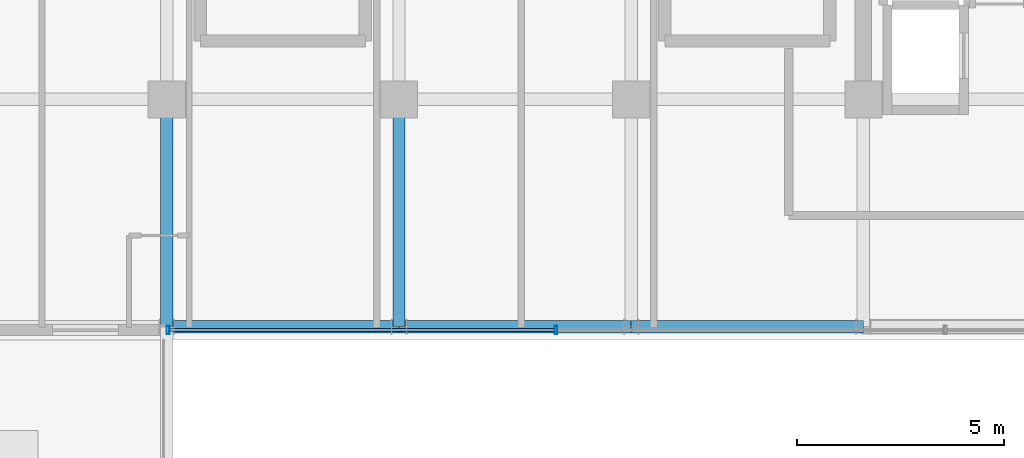
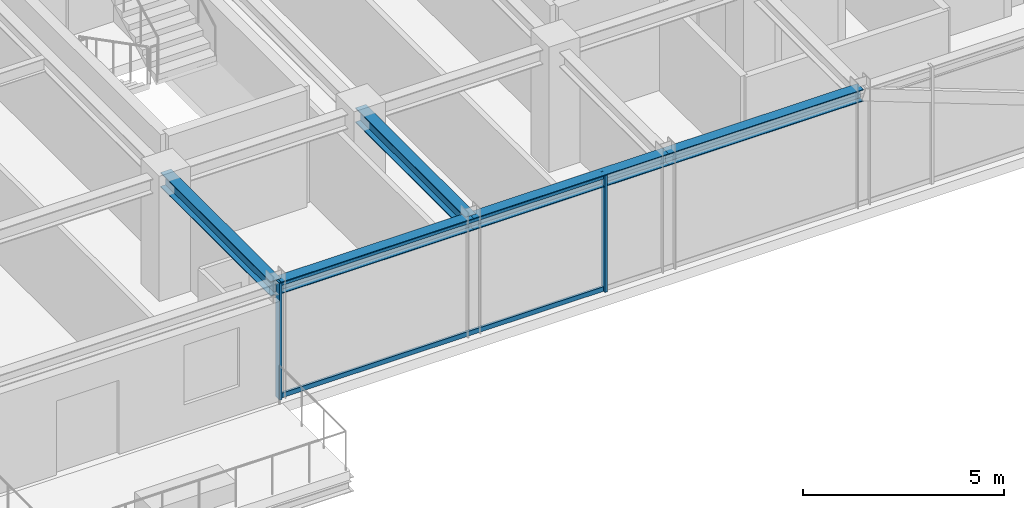
# One storey, part 7 of 37: 5 beams, 4 members, 1 element without a shape of its own.
"""IFC4 building model written with IfcOpenShell, lengths in metres."""

from ifc_helpers import new_model, si_unit, direction, frame, origin, origin_2d, place, context, subcontext, project, spatial, hollow_rectangle, i_section, extrude, source, transform, mapped, material, material_profile, profile_set, type_object, element, aggregate, save


model = new_model("IFC4")

# Units and contexts
model_context = context("Model", 3, precision=1e-05, world=origin(), true_north=direction((0.0, 1.0)))
body_context = subcontext(model_context, "Body", "Model", "MODEL_VIEW")
ifc_project = project(units=[si_unit("LENGTHUNIT", "METRE"), si_unit("AREAUNIT", "SQUARE_METRE"), si_unit("VOLUMEUNIT", "CUBIC_METRE"), si_unit("PLANEANGLEUNIT", "RADIAN"), si_unit("MASSUNIT", "GRAM", prefix="KILO")], contexts=[model_context])

# Site, building, storey
site_placement = place(None, origin())
site = spatial("IfcSite", under=ifc_project, at=site_placement, CompositionType="ELEMENT")
building_placement = place(site_placement, origin())
building = spatial("IfcBuilding", under=site, at=building_placement, Name="Nahalor Promenade Grand Hotel", CompositionType="ELEMENT")
storey_placement = place(building_placement, frame((0.0, 0.0, 292.64990234375)))
storey = spatial("IfcBuildingStorey", under=building, at=storey_placement, Name="L75", CompositionType="ELEMENT", Elevation=292.64990234375)

# Beams
ifc_material_1 = material(Name="Steel S355JR", Category="steel")
ifc_material_profile_1 = material_profile(ifc_material_1, i_section(OverallWidth=0.3, OverallDepth=0.45, WebThickness=0.014, FlangeThickness=0.026, at=origin_2d()), Name="HEB 450")
ifc_profile_set_1 = profile_set([ifc_material_profile_1], Name="Steel S355JR")
beam_type_1 = type_object("IfcBeamType", Name="Beam-Girder-HEB450", PredefinedType="BEAM", material=ifc_profile_set_1)
shared_shape_1 = source(origin(), body_context, "Body", "SweptSolid", [
    extrude(i_section(OverallWidth=0.3, OverallDepth=0.45, WebThickness=0.014, FlangeThickness=0.026, at=origin_2d()), origin(), (0.0, 0.0, 1.0), 5.47998046875),
])
for number, where, z_axis, x_axis, name in (
    (1, (-8.39990234375, -22.47998046875, 3.3251953125), (0.0, 1.0, 0.0), (-1.0, 0.0, 0.0), "BM-L75-GY-1-0"),
    (2, (-2.800048828125, -22.47998046875, 3.3251953125), (0.0, 1.0, 0.0), (-1.0, 0.0, 0.0), "BM-L75-GY-2-0"),
):
    element("IfcBeam", number, at=place(storey_placement, frame(where, z_axis=z_axis, x_axis=x_axis)), inside=storey, type_object=beam_type_1, Name=name, PredefinedType="BEAM", context=body_context, shape_type="MappedRepresentation", body=[
        mapped(shared_shape_1, transform((0.0, 0.0, 0.0), scale=1.0)),
    ])
ifc_material_profile_2 = material_profile(ifc_material_1, i_section(OverallWidth=0.3, OverallDepth=0.36, WebThickness=0.0125, FlangeThickness=0.0225, at=origin_2d()), Name="HEB 360")
ifc_profile_set_2 = profile_set([ifc_material_profile_2], Name="Steel S355JR")
beam_type_2 = type_object("IfcBeamType", Name="Beam-Spandrel-HEB360", PredefinedType="SPANDREL", material=ifc_profile_set_2)
shared_shape_2 = source(origin(), body_context, "Body", "SweptSolid", [
    extrude(i_section(OverallWidth=0.3, OverallDepth=0.36, WebThickness=0.0125, FlangeThickness=0.0225, at=origin_2d()), origin(), (0.0, 0.0, 1.0), 5.599853515625),
])
for number, where, z_axis, x_axis, name in (
    (3, (-8.39990234375, -22.47998046875, 3.3701171875), (1.0, 0.0, 0.0), (0.0, 1.0, 0.0), "BM-L75-SP-S-1"),
    (4, (2.800048828125, -22.47998046875, 3.3701171875), (1.0, 0.0, 0.0), (0.0, 1.0, 0.0), "BM-L75-SP-S-3"),
):
    element("IfcBeam", number, at=place(storey_placement, frame(where, z_axis=z_axis, x_axis=x_axis)), inside=storey, type_object=beam_type_2, Name=name, PredefinedType="SPANDREL", context=body_context, shape_type="MappedRepresentation", body=[
        mapped(shared_shape_2, transform((0.0, 0.0, 0.0), scale=1.0)),
    ])
shared_shape_3 = source(origin(), body_context, "Body", "SweptSolid", [
    extrude(i_section(OverallWidth=0.3, OverallDepth=0.36, WebThickness=0.0125, FlangeThickness=0.0225, at=origin_2d()), origin(), (0.0, 0.0, 1.0), 5.60009765625),
])
beam_placement = place(storey_placement, frame((-2.800048828125, -22.47998046875, 3.3701171875), z_axis=(1.0, 0.0, 0.0), x_axis=(0.0, 1.0, 0.0)))
element("IfcBeam", 5, at=beam_placement, inside=storey, type_object=beam_type_2, Name="BM-L75-SP-S-2", PredefinedType="SPANDREL", context=body_context, shape_type="MappedRepresentation", body=[
    mapped(shared_shape_3, transform((0.0, 0.0, 0.0), scale=1.0)),
])

# Curtain wall, members
ifc_material_2 = material(Name="Anodised Bronze Aluminium EN AW-6063 T6", Category="aluminium")
curtain_wall_type = type_object("IfcCurtainWallType", Name="CW3 Elliptical-Void Collar Unitised Curtain Wall", PredefinedType="USERDEFINED", material=ifc_material_2)
curtain_wall_placement = place(storey_placement, origin())
curtain_wall = element("IfcCurtainWall", 6, at=curtain_wall_placement, inside=storey, type_object=curtain_wall_type, Name="L75 Curtain Wall CW-L75-S-3", ObjectType="UNITISED_CURTAIN_WALL", PredefinedType="USERDEFINED")
ifc_material_profile_3 = material_profile(ifc_material_2, hollow_rectangle(XDim=0.07, YDim=0.14, WallThickness=0.004, at=origin_2d()), Name="CWT 70x140x4")
ifc_profile_set_3 = profile_set([ifc_material_profile_3], Name="Anodised Bronze Aluminium EN AW-6063 T6")
member_type_1 = type_object("IfcMemberType", Name="CWT3 Void Collar Transom 70x140", PredefinedType="USERDEFINED", material=ifc_profile_set_3)
shared_shape_4 = source(origin(), body_context, "Body", "SweptSolid", [
    extrude(hollow_rectangle(XDim=0.07, YDim=0.14, WallThickness=0.004, at=origin_2d()), origin(), (0.0, 0.0, 1.0), 9.28173828125),
])
member_1_placement = place(storey_placement, frame((-8.330078125, -22.56005859375, 0.070068359375), z_axis=(1.0, 0.0, 0.0), x_axis=(0.0, 1.0, 0.0)))
member_1 = element("IfcMember", 7, at=member_1_placement, type_object=member_type_1, Name="CW-L75-S-3 Transom 0-0", ObjectType="TRANSOM", PredefinedType="USERDEFINED", context=body_context, shape_type="MappedRepresentation", body=[
    mapped(shared_shape_4, transform((0.0, 0.0, 0.0), scale=1.0)),
])
member_2_placement = place(storey_placement, frame((-8.330078125, -22.56005859375, 3.47998046875), z_axis=(1.0, 0.0, 0.0), x_axis=(0.0, 1.0, 0.0)))
member_2 = element("IfcMember", 8, at=member_2_placement, type_object=member_type_1, Name="CW-L75-S-3 Transom 0-1", ObjectType="TRANSOM", PredefinedType="USERDEFINED", context=body_context, shape_type="MappedRepresentation", body=[
    mapped(shared_shape_4, transform((0.0, 0.0, 0.0), scale=1.0)),
])
ifc_material_profile_4 = material_profile(ifc_material_2, hollow_rectangle(XDim=0.07, YDim=0.2, WallThickness=0.005, at=origin_2d()), Name="CWM 70x200x5")
ifc_profile_set_4 = profile_set([ifc_material_profile_4], Name="Anodised Bronze Aluminium EN AW-6063 T6")
member_type_2 = type_object("IfcMemberType", Name="CWM3 Void Collar Mullion 70x200", PredefinedType="MULLION", material=ifc_profile_set_4)
shared_shape_5 = source(origin(), body_context, "Body", "SweptSolid", [
    extrude(hollow_rectangle(XDim=0.07, YDim=0.2, WallThickness=0.005, at=origin_2d()), origin(), (0.0, 0.0, 1.0), 3.550048828125),
])
member_3_placement = place(storey_placement, frame((-8.364990234375, -22.56005859375, 0.0), z_axis=(0.0, 0.0, 1.0), x_axis=(1.0, 0.0, 0.0)))
member_3 = element("IfcMember", 9, at=member_3_placement, type_object=member_type_2, Name="CW-L75-S-3 Mullion 0", PredefinedType="MULLION", context=body_context, shape_type="MappedRepresentation", body=[
    mapped(shared_shape_5, transform((0.0, 0.0, 0.0), scale=1.0)),
])
member_4_placement = place(storey_placement, frame((0.986572265625, -22.56005859375, 0.0), z_axis=(0.0, 0.0, 1.0), x_axis=(1.0, 0.0, 0.0)))
member_4 = element("IfcMember", 10, at=member_4_placement, type_object=member_type_2, Name="CW-L75-S-3 Mullion 1", PredefinedType="MULLION", context=body_context, shape_type="MappedRepresentation", body=[
    mapped(shared_shape_5, transform((0.0, 0.0, 0.0), scale=1.0)),
])
aggregate(curtain_wall, [member_3, member_4, member_1, member_2])

save(model, "model.ifc")
